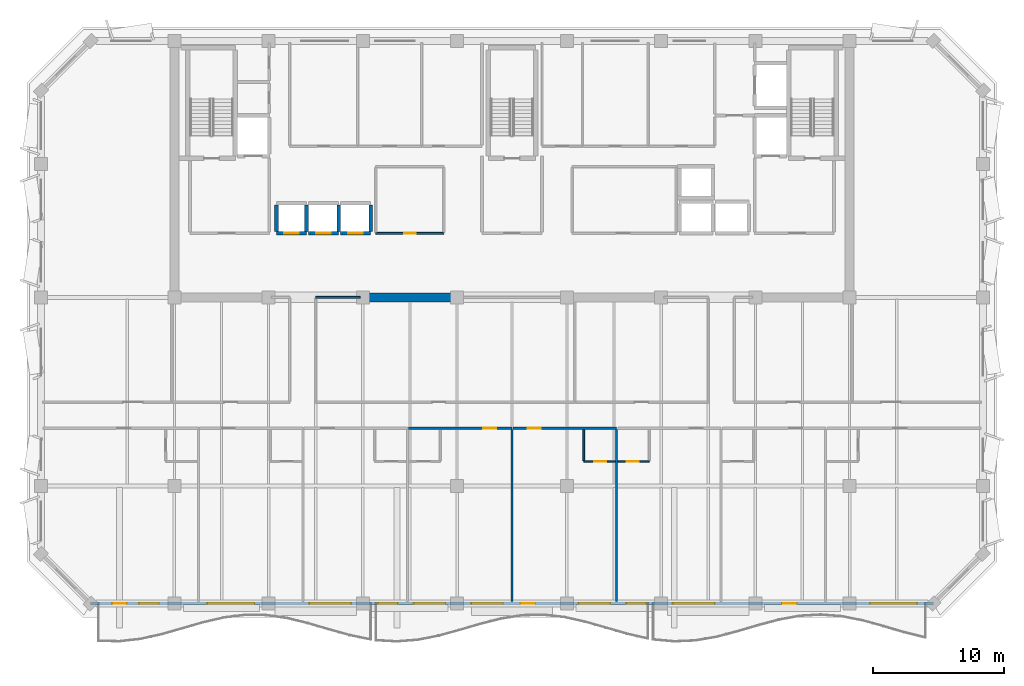
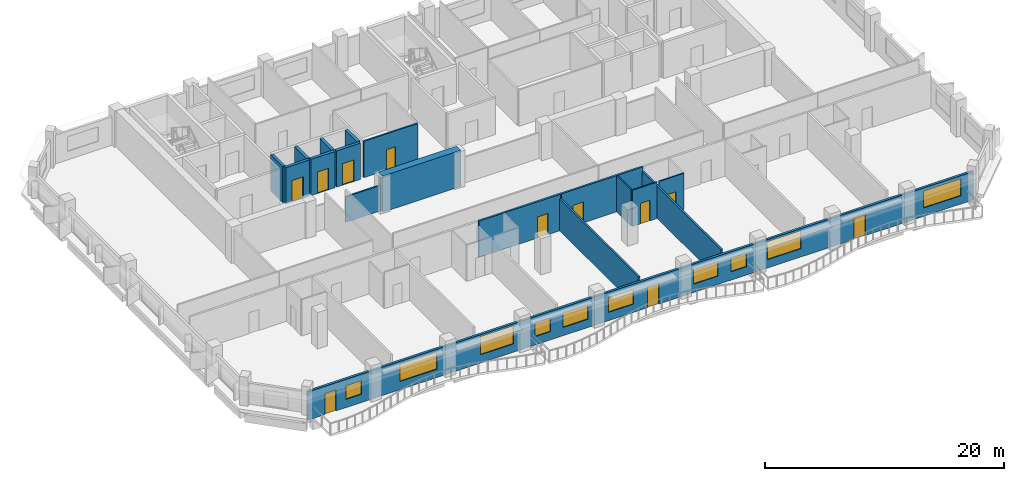
# One storey, part 4 of 11: 18 walls, 11 doors, 10 windows, 21 openings.
"""IFC4 building model written with IfcOpenShell, lengths in metres."""

from ifc_helpers import new_model, si_unit, direction, frame, frame_2d, origin, place, context, subcontext, project, spatial, rectangle, extrude, material, layer, layer_set, type_object, element, fill, save


model = new_model("IFC4")

# Units and contexts
model_context = context("Model", 3, precision=1e-05, world=origin(), true_north=direction((0.0, 1.0)))
body_context = subcontext(model_context, "Body", "Model", "MODEL_VIEW")
ifc_project = project(units=[si_unit("LENGTHUNIT", "METRE"), si_unit("AREAUNIT", "SQUARE_METRE"), si_unit("VOLUMEUNIT", "CUBIC_METRE"), si_unit("PLANEANGLEUNIT", "RADIAN"), si_unit("MASSUNIT", "GRAM", prefix="KILO")], contexts=[model_context])

# Site, building, storey
site_placement = place(None, origin())
site = spatial("IfcSite", under=ifc_project, at=site_placement, CompositionType="ELEMENT")
building_placement = place(site_placement, origin())
building = spatial("IfcBuilding", under=site, at=building_placement, Name="Kaelvorn Grand Hotel", CompositionType="ELEMENT")
storey_placement = place(building_placement, frame((0.0, 0.0, 252.85009765625)))
storey = spatial("IfcBuildingStorey", under=building, at=storey_placement, Name="L62", CompositionType="ELEMENT", Elevation=252.85009765625)

# Wall
ifc_material_1 = material(Name="Concrete C50/60", Category="concrete")
ifc_layer_1 = layer(ifc_material_1, 0.699951171875)
ifc_layer_set_1 = layer_set([ifc_layer_1], Name="Concrete C50/60")
wall_type_1 = type_object("IfcWallType", Name="WL-CORE-700-C50", PredefinedType="SHEAR", material=ifc_layer_set_1)
wall_1_placement = place(storey_placement, frame((30.39990234375, 29.39990234375, 0.0), z_axis=(0.0, 0.0, 1.0), x_axis=(1.0, 0.0, 0.0)))
element("IfcWall", 1, at=wall_1_placement, inside=storey, type_object=wall_type_1, Name="L62 Rear-Core Coupled Shear Pier S2", PredefinedType="SHEAR", context=body_context, shape_type="SweptSolid", body=[
    extrude(rectangle(XDim=7.60009765625, YDim=0.699951171875, at=frame_2d((3.800048828125, 0.0))), origin(), (0.0, 0.0, 1.0), 3.7099609375),
])

# Wall, openings, doors, windows
ifc_material_2 = material(Name="Concrete C40/50", Category="concrete")
ifc_layer_2 = layer(ifc_material_2, 0.219970703125)
ifc_layer_set_2 = layer_set([ifc_layer_2], Name="Concrete C40/50")
wall_type_2 = type_object("IfcWallType", Name="WL-EXT-220-C40", PredefinedType="SOLIDWALL", material=ifc_layer_set_2)
wall_2_placement = place(storey_placement, frame((9.800048828125, 6.0, 0.0), z_axis=(0.0, 0.0, 1.0), x_axis=(1.0, 0.0, 0.0)))
wall_2 = element("IfcWall", 2, at=wall_2_placement, inside=storey, type_object=wall_type_2, Name="L62 Exterior Architectural Concrete Wall 01", PredefinedType="SOLIDWALL", context=body_context, shape_type="SweptSolid", body=[
    extrude(rectangle(XDim=64.39990234375, YDim=0.219970703125, at=frame_2d((32.199951171875, 0.0))), origin(), (0.0, 0.0, 1.0), 2.909912109375),
])
opening_1_placement = place(wall_2_placement, frame((1.64990234375, 0.0, 0.0)))
opening_1 = element("IfcOpeningElement", 3, at=opening_1_placement, cuts=wall_2, Name="Opening DE2", PredefinedType="OPENING", context=body_context, shape_type="SweptSolid", body=[
    extrude(rectangle(XDim=1.10009765625, YDim=2.14990234375, at=frame_2d((0.550048828125, 1.074951171875))), frame((0.0, 0.1201171875, 0.0), z_axis=(0.0, -1.0, 0.0), x_axis=(1.0, 0.0, 0.0)), (0.0, 0.0, 1.0), 0.239990234375),
])
opening_2_placement = place(wall_2_placement, frame((32.85009765625, 0.0, 0.0)))
opening_2 = element("IfcOpeningElement", 4, at=opening_2_placement, cuts=wall_2, Name="Opening DE2", PredefinedType="OPENING", context=body_context, shape_type="SweptSolid", body=[
    extrude(rectangle(XDim=1.10009765625, YDim=2.14990234375, at=frame_2d((0.550048828125, 1.074951171875))), frame((0.0, 0.1201171875, 0.0), z_axis=(0.0, -1.0, 0.0), x_axis=(1.0, 0.0, 0.0)), (0.0, 0.0, 1.0), 0.239990234375),
])
opening_3_placement = place(wall_2_placement, frame((52.85009765625, 0.0, 0.0)))
opening_3 = element("IfcOpeningElement", 5, at=opening_3_placement, cuts=wall_2, Name="Opening DE2", PredefinedType="OPENING", context=body_context, shape_type="SweptSolid", body=[
    extrude(rectangle(XDim=1.10009765625, YDim=2.14990234375, at=frame_2d((0.550048828125, 1.074951171875))), frame((0.0, 0.1201171875, 0.0), z_axis=(0.0, -1.0, 0.0), x_axis=(1.0, 0.0, 0.0)), (0.0, 0.0, 1.0), 0.239990234375),
])
opening_4_placement = place(wall_2_placement, frame((3.7099609375, 0.0, 0.85009765625)))
opening_4 = element("IfcOpeningElement", 6, at=opening_4_placement, cuts=wall_2, Name="Opening W10", PredefinedType="OPENING", context=body_context, shape_type="SweptSolid", body=[
    extrude(rectangle(XDim=1.5, YDim=1.39990234375, at=frame_2d((0.75, 0.699951171875))), frame((0.0, 0.1201171875, 0.0), z_axis=(0.0, -1.0, 0.0), x_axis=(1.0, 0.0, 0.0)), (0.0, 0.0, 1.0), 0.239990234375),
])
opening_5_placement = place(wall_2_placement, frame((8.9189453125, 0.0, 0.85009765625)))
opening_5 = element("IfcOpeningElement", 7, at=opening_5_placement, cuts=wall_2, Name="Opening W3", PredefinedType="OPENING", context=body_context, shape_type="SweptSolid", body=[
    extrude(rectangle(XDim=3.60009765625, YDim=1.75, at=frame_2d((1.800048828125, 0.875))), frame((0.0, 0.1201171875, 0.0), z_axis=(0.0, -1.0, 0.0), x_axis=(1.0, 0.0, 0.0)), (0.0, 0.0, 1.0), 0.239990234375),
])
opening_6_placement = place(wall_2_placement, frame((16.71240234375, 0.0, 0.85009765625)))
opening_6 = element("IfcOpeningElement", 8, at=opening_6_placement, cuts=wall_2, Name="Opening W4", PredefinedType="OPENING", context=body_context, shape_type="SweptSolid", body=[
    extrude(rectangle(XDim=3.199951171875, YDim=1.85009765625, at=frame_2d((1.60009765625, 0.925048828125))), frame((0.0, 0.1201171875, 0.0), z_axis=(0.0, -1.0, 0.0), x_axis=(1.0, 0.0, 0.0)), (0.0, 0.0, 1.0), 0.239990234375),
])
opening_7_placement = place(wall_2_placement, frame((21.95654296875, 0.0, 0.85009765625)))
opening_7 = element("IfcOpeningElement", 9, at=opening_7_placement, cuts=wall_2, Name="Opening W10", PredefinedType="OPENING", context=body_context, shape_type="SweptSolid", body=[
    extrude(rectangle(XDim=1.5, YDim=1.39990234375, at=frame_2d((0.75, 0.699951171875))), frame((0.0, 0.1201171875, 0.0), z_axis=(0.0, -1.0, 0.0), x_axis=(1.0, 0.0, 0.0)), (0.0, 0.0, 1.0), 0.239990234375),
])
opening_8_placement = place(wall_2_placement, frame((24.70654296875, 0.0, 0.85009765625)))
opening_8 = element("IfcOpeningElement", 10, at=opening_8_placement, cuts=wall_2, Name="Opening W6", PredefinedType="OPENING", context=body_context, shape_type="SweptSolid", body=[
    extrude(rectangle(XDim=2.39990234375, YDim=1.5, at=frame_2d((1.199951171875, 0.75))), frame((0.0, 0.1201171875, 0.0), z_axis=(0.0, -1.0, 0.0), x_axis=(1.0, 0.0, 0.0)), (0.0, 0.0, 1.0), 0.239990234375),
])
opening_9_placement = place(wall_2_placement, frame((29.10009765625, 0.0, 0.85009765625)))
opening_9 = element("IfcOpeningElement", 11, at=opening_9_placement, cuts=wall_2, Name="Opening W6", PredefinedType="OPENING", context=body_context, shape_type="SweptSolid", body=[
    extrude(rectangle(XDim=2.39990234375, YDim=1.5, at=frame_2d((1.199951171875, 0.75))), frame((0.0, 0.1201171875, 0.0), z_axis=(0.0, -1.0, 0.0), x_axis=(1.0, 0.0, 0.0)), (0.0, 0.0, 1.0), 0.239990234375),
])
opening_10_placement = place(wall_2_placement, frame((37.29345703125, 0.0, 0.85009765625)))
opening_10 = element("IfcOpeningElement", 12, at=opening_10_placement, cuts=wall_2, Name="Opening W6", PredefinedType="OPENING", context=body_context, shape_type="SweptSolid", body=[
    extrude(rectangle(XDim=2.39990234375, YDim=1.5, at=frame_2d((1.199951171875, 0.75))), frame((0.0, 0.1201171875, 0.0), z_axis=(0.0, -1.0, 0.0), x_axis=(1.0, 0.0, 0.0)), (0.0, 0.0, 1.0), 0.239990234375),
])
opening_11_placement = place(wall_2_placement, frame((40.943603515625, 0.0, 0.85009765625)))
opening_11 = element("IfcOpeningElement", 13, at=opening_11_placement, cuts=wall_2, Name="Opening W10", PredefinedType="OPENING", context=body_context, shape_type="SweptSolid", body=[
    extrude(rectangle(XDim=1.5, YDim=1.39990234375, at=frame_2d((0.75, 0.699951171875))), frame((0.0, 0.1201171875, 0.0), z_axis=(0.0, -1.0, 0.0), x_axis=(1.0, 0.0, 0.0)), (0.0, 0.0, 1.0), 0.239990234375),
])
opening_12_placement = place(wall_2_placement, frame((44.487548828125, 0.0, 0.85009765625)))
opening_12 = element("IfcOpeningElement", 14, at=opening_12_placement, cuts=wall_2, Name="Opening W4", PredefinedType="OPENING", context=body_context, shape_type="SweptSolid", body=[
    extrude(rectangle(XDim=3.199951171875, YDim=1.85009765625, at=frame_2d((1.60009765625, 0.925048828125))), frame((0.0, 0.1201171875, 0.0), z_axis=(0.0, -1.0, 0.0), x_axis=(1.0, 0.0, 0.0)), (0.0, 0.0, 1.0), 0.239990234375),
])
opening_13_placement = place(wall_2_placement, frame((59.56494140625, 0.0, 0.85009765625)))
opening_13 = element("IfcOpeningElement", 15, at=opening_13_placement, cuts=wall_2, Name="Opening W3", PredefinedType="OPENING", context=body_context, shape_type="SweptSolid", body=[
    extrude(rectangle(XDim=3.60009765625, YDim=1.75, at=frame_2d((1.800048828125, 0.875))), frame((0.0, 0.1201171875, 0.0), z_axis=(0.0, -1.0, 0.0), x_axis=(1.0, 0.0, 0.0)), (0.0, 0.0, 1.0), 0.239990234375),
])
ifc_material_3 = material(Name="Anodised Aluminium", Category="aluminium")
door_type_1 = type_object("IfcDoorType", Name="DR-EXT-BALC-1100x2150", OperationType="NOTDEFINED", PredefinedType="DOOR", material=ifc_material_3)
door_1_placement = place(opening_1_placement, origin())
door_1 = element("IfcDoor", 16, at=door_1_placement, inside=storey, type_object=door_type_1, Name="L62 Scalloped Balcony Glazed Door DE2-1", OperationType="SINGLE_SWING_LEFT", OverallHeight=2.14990234375, OverallWidth=1.10009765625, PredefinedType="DOOR", context=body_context, shape_type="SweptSolid", body=[
    extrude(rectangle(XDim=1.10009765625, YDim=2.14990234375, at=frame_2d((0.550048828125, 1.074951171875))), frame((0.0, 0.02490234375, 0.0), z_axis=(0.0, -1.0, 0.0), x_axis=(1.0, 0.0, 0.0)), (0.0, 0.0, 1.0), 0.050048828125),
])
fill(opening_1, door_1)
door_2_placement = place(opening_2_placement, origin())
door_2 = element("IfcDoor", 17, at=door_2_placement, inside=storey, type_object=door_type_1, Name="L62 Scalloped Balcony Glazed Door DE2-2", OperationType="SINGLE_SWING_RIGHT", OverallHeight=2.14990234375, OverallWidth=1.10009765625, PredefinedType="DOOR", context=body_context, shape_type="SweptSolid", body=[
    extrude(rectangle(XDim=1.10009765625, YDim=2.14990234375, at=frame_2d((0.550048828125, 1.074951171875))), frame((0.0, 0.02490234375, 0.0), z_axis=(0.0, -1.0, 0.0), x_axis=(1.0, 0.0, 0.0)), (0.0, 0.0, 1.0), 0.050048828125),
])
fill(opening_2, door_2)
door_3_placement = place(opening_3_placement, origin())
door_3 = element("IfcDoor", 18, at=door_3_placement, inside=storey, type_object=door_type_1, Name="L62 Scalloped Balcony Glazed Door DE2-3", OperationType="SINGLE_SWING_LEFT", OverallHeight=2.14990234375, OverallWidth=1.10009765625, PredefinedType="DOOR", context=body_context, shape_type="SweptSolid", body=[
    extrude(rectangle(XDim=1.10009765625, YDim=2.14990234375, at=frame_2d((0.550048828125, 1.074951171875))), frame((0.0, 0.02490234375, 0.0), z_axis=(0.0, -1.0, 0.0), x_axis=(1.0, 0.0, 0.0)), (0.0, 0.0, 1.0), 0.050048828125),
])
fill(opening_3, door_3)
ifc_material_4 = material(Name="Laminated Low-E Glass", Category="glass")
window_type_1 = type_object("IfcWindowType", Name="WIN-COR-1500x1400", PartitioningType="SINGLE_PANEL", PredefinedType="WINDOW", material=ifc_material_4)
window_1_placement = place(opening_4_placement, origin())
window_1 = element("IfcWindow", 19, at=window_1_placement, inside=storey, type_object=window_type_1, Name="L62 South Guestroom Ribbon Window SR01", OverallHeight=1.39990234375, OverallWidth=1.5, PartitioningType="SINGLE_PANEL", PredefinedType="WINDOW", context=body_context, shape_type="SweptSolid", body=[
    extrude(rectangle(XDim=1.5, YDim=1.39990234375, at=frame_2d((0.75, 0.699951171875))), frame((0.0, 0.030029296875, 0.0), z_axis=(0.0, -1.0, 0.0), x_axis=(1.0, 0.0, 0.0)), (0.0, 0.0, 1.0), 0.06005859375),
])
fill(opening_4, window_1)
window_2_placement = place(opening_7_placement, origin())
window_2 = element("IfcWindow", 20, at=window_2_placement, inside=storey, type_object=window_type_1, Name="L62 South Guestroom Ribbon Window SR04", OverallHeight=1.39990234375, OverallWidth=1.5, PartitioningType="SINGLE_PANEL", PredefinedType="WINDOW", context=body_context, shape_type="SweptSolid", body=[
    extrude(rectangle(XDim=1.5, YDim=1.39990234375, at=frame_2d((0.75, 0.699951171875))), frame((0.0, 0.030029296875, 0.0), z_axis=(0.0, -1.0, 0.0), x_axis=(1.0, 0.0, 0.0)), (0.0, 0.0, 1.0), 0.06005859375),
])
fill(opening_7, window_2)
window_3_placement = place(opening_11_placement, origin())
window_3 = element("IfcWindow", 21, at=window_3_placement, inside=storey, type_object=window_type_1, Name="L62 South Guestroom Ribbon Window SR08", OverallHeight=1.39990234375, OverallWidth=1.5, PartitioningType="SINGLE_PANEL", PredefinedType="WINDOW", context=body_context, shape_type="SweptSolid", body=[
    extrude(rectangle(XDim=1.5, YDim=1.39990234375, at=frame_2d((0.75, 0.699951171875))), frame((0.0, 0.030029296875, 0.0), z_axis=(0.0, -1.0, 0.0), x_axis=(1.0, 0.0, 0.0)), (0.0, 0.0, 1.0), 0.06005859375),
])
fill(opening_11, window_3)
window_type_2 = type_object("IfcWindowType", Name="WIN-NTH-2400x1500", PartitioningType="SINGLE_PANEL", PredefinedType="WINDOW", material=ifc_material_4)
window_4_placement = place(opening_8_placement, origin())
window_4 = element("IfcWindow", 22, at=window_4_placement, inside=storey, type_object=window_type_2, Name="L62 South Guestroom Ribbon Window SR05", OverallHeight=1.5, OverallWidth=2.39990234375, PartitioningType="SINGLE_PANEL", PredefinedType="WINDOW", context=body_context, shape_type="SweptSolid", body=[
    extrude(rectangle(XDim=2.39990234375, YDim=1.5, at=frame_2d((1.199951171875, 0.75))), frame((0.0, 0.030029296875, 0.0), z_axis=(0.0, -1.0, 0.0), x_axis=(1.0, 0.0, 0.0)), (0.0, 0.0, 1.0), 0.06005859375),
])
fill(opening_8, window_4)
window_5_placement = place(opening_9_placement, origin())
window_5 = element("IfcWindow", 23, at=window_5_placement, inside=storey, type_object=window_type_2, Name="L62 South Guestroom Ribbon Window SR06", OverallHeight=1.5, OverallWidth=2.39990234375, PartitioningType="SINGLE_PANEL", PredefinedType="WINDOW", context=body_context, shape_type="SweptSolid", body=[
    extrude(rectangle(XDim=2.39990234375, YDim=1.5, at=frame_2d((1.199951171875, 0.75))), frame((0.0, 0.030029296875, 0.0), z_axis=(0.0, -1.0, 0.0), x_axis=(1.0, 0.0, 0.0)), (0.0, 0.0, 1.0), 0.06005859375),
])
fill(opening_9, window_5)
window_6_placement = place(opening_10_placement, origin())
window_6 = element("IfcWindow", 24, at=window_6_placement, inside=storey, type_object=window_type_2, Name="L62 South Guestroom Ribbon Window SR07", OverallHeight=1.5, OverallWidth=2.39990234375, PartitioningType="SINGLE_PANEL", PredefinedType="WINDOW", context=body_context, shape_type="SweptSolid", body=[
    extrude(rectangle(XDim=2.39990234375, YDim=1.5, at=frame_2d((1.199951171875, 0.75))), frame((0.0, 0.030029296875, 0.0), z_axis=(0.0, -1.0, 0.0), x_axis=(1.0, 0.0, 0.0)), (0.0, 0.0, 1.0), 0.06005859375),
])
fill(opening_10, window_6)
window_type_3 = type_object("IfcWindowType", Name="WIN-RIB-3200x1850", PartitioningType="SINGLE_PANEL", PredefinedType="WINDOW", material=ifc_material_4)
window_7_placement = place(opening_6_placement, origin())
window_7 = element("IfcWindow", 25, at=window_7_placement, inside=storey, type_object=window_type_3, Name="L62 South Guestroom Ribbon Window SR03", OverallHeight=1.85009765625, OverallWidth=3.199951171875, PartitioningType="SINGLE_PANEL", PredefinedType="WINDOW", context=body_context, shape_type="SweptSolid", body=[
    extrude(rectangle(XDim=3.199951171875, YDim=1.85009765625, at=frame_2d((1.60009765625, 0.925048828125))), frame((0.0, 0.030029296875, 0.0), z_axis=(0.0, -1.0, 0.0), x_axis=(1.0, 0.0, 0.0)), (0.0, 0.0, 1.0), 0.06005859375),
])
fill(opening_6, window_7)
window_8_placement = place(opening_12_placement, origin())
window_8 = element("IfcWindow", 26, at=window_8_placement, inside=storey, type_object=window_type_3, Name="L62 South Guestroom Ribbon Window SR09", OverallHeight=1.85009765625, OverallWidth=3.199951171875, PartitioningType="SINGLE_PANEL", PredefinedType="WINDOW", context=body_context, shape_type="SweptSolid", body=[
    extrude(rectangle(XDim=3.199951171875, YDim=1.85009765625, at=frame_2d((1.60009765625, 0.925048828125))), frame((0.0, 0.030029296875, 0.0), z_axis=(0.0, -1.0, 0.0), x_axis=(1.0, 0.0, 0.0)), (0.0, 0.0, 1.0), 0.06005859375),
])
fill(opening_12, window_8)
window_type_4 = type_object("IfcWindowType", Name="WIN-RIB-3600x1750", PartitioningType="SINGLE_PANEL", PredefinedType="WINDOW", material=ifc_material_4)
window_9_placement = place(opening_5_placement, origin())
window_9 = element("IfcWindow", 27, at=window_9_placement, inside=storey, type_object=window_type_4, Name="L62 South Guestroom Ribbon Window SR02", OverallHeight=1.75, OverallWidth=3.60009765625, PartitioningType="SINGLE_PANEL", PredefinedType="WINDOW", context=body_context, shape_type="SweptSolid", body=[
    extrude(rectangle(XDim=3.60009765625, YDim=1.75, at=frame_2d((1.800048828125, 0.875))), frame((0.0, 0.030029296875, 0.0), z_axis=(0.0, -1.0, 0.0), x_axis=(1.0, 0.0, 0.0)), (0.0, 0.0, 1.0), 0.06005859375),
])
fill(opening_5, window_9)
window_10_placement = place(opening_13_placement, origin())
window_10 = element("IfcWindow", 28, at=window_10_placement, inside=storey, type_object=window_type_4, Name="L62 South Guestroom Ribbon Window SR10", OverallHeight=1.75, OverallWidth=3.60009765625, PartitioningType="SINGLE_PANEL", PredefinedType="WINDOW", context=body_context, shape_type="SweptSolid", body=[
    extrude(rectangle(XDim=3.60009765625, YDim=1.75, at=frame_2d((1.800048828125, 0.875))), frame((0.0, 0.030029296875, 0.0), z_axis=(0.0, -1.0, 0.0), x_axis=(1.0, 0.0, 0.0)), (0.0, 0.0, 1.0), 0.06005859375),
])
fill(opening_13, window_10)

# Wall, opening, door
ifc_material_5 = material(Name="Moisture-Resistant Tile & Stud Board")
ifc_layer_3 = layer(ifc_material_5, 0.125)
ifc_layer_set_3 = layer_set([ifc_layer_3], Name="Moisture-Resistant Tile & Stud Board")
wall_type_3 = type_object("IfcWallType", Name="WL-PART-125-WET", PredefinedType="PARTITIONING", material=ifc_layer_set_3)
wall_3_placement = place(storey_placement, frame((47.487548828125, 16.85009765625, 0.0), z_axis=(0.0, 0.0, 1.0), x_axis=(1.0, 0.0, 0.0)))
wall_3 = element("IfcWall", 29, at=wall_3_placement, inside=storey, type_object=wall_type_3, Name="L62 En-suite Bathroom L62-05 S Partition", PredefinedType="PARTITIONING", context=body_context, shape_type="SweptSolid", body=[
    extrude(rectangle(XDim=2.405029296875, YDim=0.125, at=frame_2d((1.20263671875, 0.0))), origin(), (0.0, 0.0, 1.0), 3.7099609375),
])
opening_14_placement = place(wall_3_placement, frame((0.800048828125, 0.0, 0.0)))
opening_14 = element("IfcOpeningElement", 30, at=opening_14_placement, cuts=wall_3, Name="Opening DI4", PredefinedType="OPENING", context=body_context, shape_type="SweptSolid", body=[
    extrude(rectangle(XDim=0.89990234375, YDim=2.10009765625, at=frame_2d((0.449951171875, 1.050048828125))), frame((0.0, 0.072509765625, 0.0), z_axis=(0.0, -1.0, 0.0), x_axis=(1.0, 0.0, 0.0)), (0.0, 0.0, 1.0), 0.14501953125),
])
ifc_material_6 = material(Name="Timber Veneer Leaf", Category="wood")
door_type_2 = type_object("IfcDoorType", Name="DR-INT-BATH-900x2100", OperationType="NOTDEFINED", PredefinedType="DOOR", material=ifc_material_6)
door_4_placement = place(opening_14_placement, origin())
door_4 = element("IfcDoor", 31, at=door_4_placement, inside=storey, type_object=door_type_2, Name="L62 En-suite Bathroom L62-05 Door", OperationType="SINGLE_SWING_RIGHT", OverallHeight=2.10009765625, OverallWidth=0.89990234375, PredefinedType="DOOR", context=body_context, shape_type="SweptSolid", body=[
    extrude(rectangle(XDim=0.89990234375, YDim=2.10009765625, at=frame_2d((0.449951171875, 1.050048828125))), frame((0.0, 0.02490234375, 0.0), z_axis=(0.0, -1.0, 0.0), x_axis=(1.0, 0.0, 0.0)), (0.0, 0.0, 1.0), 0.050048828125),
])
fill(opening_14, door_4)

# Wall
wall_4_placement = place(storey_placement, frame((47.487548828125, 16.91748046875, 0.0), z_axis=(0.0, 0.0, 1.0), x_axis=(0.0, 1.0, 0.0)))
element("IfcWall", 32, at=wall_4_placement, inside=storey, type_object=wall_type_3, Name="L62 En-suite Bathroom L62-05 W Partition", PredefinedType="PARTITIONING", context=body_context, shape_type="SweptSolid", body=[
    extrude(rectangle(XDim=2.387451171875, YDim=0.125, at=frame_2d((1.19384765625, 0.0))), origin(), (0.0, 0.0, 1.0), 3.7099609375),
])

# Wall, opening, door
wall_5_placement = place(storey_placement, frame((50.08251953125, 16.85009765625, 0.0), z_axis=(0.0, 0.0, 1.0), x_axis=(1.0, 0.0, 0.0)))
wall_5 = element("IfcWall", 33, at=wall_5_placement, inside=storey, type_object=wall_type_3, Name="L62 En-suite Bathroom L62-06 S Partition", PredefinedType="PARTITIONING", context=body_context, shape_type="SweptSolid", body=[
    extrude(rectangle(XDim=2.405029296875, YDim=0.125, at=frame_2d((1.20263671875, 0.0))), origin(), (0.0, 0.0, 1.0), 3.7099609375),
])
opening_15_placement = place(wall_5_placement, frame((0.705078125, 0.0, 0.0)))
opening_15 = element("IfcOpeningElement", 34, at=opening_15_placement, cuts=wall_5, Name="Opening DI4", PredefinedType="OPENING", context=body_context, shape_type="SweptSolid", body=[
    extrude(rectangle(XDim=0.89990234375, YDim=2.10009765625, at=frame_2d((0.449951171875, 1.050048828125))), frame((0.0, 0.072509765625, 0.0), z_axis=(0.0, -1.0, 0.0), x_axis=(1.0, 0.0, 0.0)), (0.0, 0.0, 1.0), 0.14501953125),
])
door_5_placement = place(opening_15_placement, origin())
door_5 = element("IfcDoor", 35, at=door_5_placement, inside=storey, type_object=door_type_2, Name="L62 En-suite Bathroom L62-06 Door", OperationType="SINGLE_SWING_RIGHT", OverallHeight=2.10009765625, OverallWidth=0.89990234375, PredefinedType="DOOR", context=body_context, shape_type="SweptSolid", body=[
    extrude(rectangle(XDim=0.89990234375, YDim=2.10009765625, at=frame_2d((0.449951171875, 1.050048828125))), frame((0.0, 0.02490234375, 0.0), z_axis=(0.0, -1.0, 0.0), x_axis=(1.0, 0.0, 0.0)), (0.0, 0.0, 1.0), 0.050048828125),
])
fill(opening_15, door_5)

ifc_material_7 = material(Name="Acoustic Gypsum & Stud Partition")
ifc_layer_4 = layer(ifc_material_7, 0.14990234375)
ifc_layer_set_4 = layer_set([ifc_layer_4], Name="Acoustic Gypsum & Stud Partition")
wall_type_4 = type_object("IfcWallType", Name="WL-PART-150-EI60", PredefinedType="PARTITIONING", material=ifc_layer_set_4)
wall_6_placement = place(storey_placement, frame((31.60009765625, 34.300048828125, 0.0), z_axis=(0.0, 0.0, 1.0), x_axis=(1.0, 0.0, 0.0)))
wall_6 = element("IfcWall", 36, at=wall_6_placement, inside=storey, type_object=wall_type_4, Name="L62 Core Telecoms & BMS Server Room S Partition", PredefinedType="PARTITIONING", context=body_context, shape_type="SweptSolid", body=[
    extrude(rectangle(XDim=5.199951171875, YDim=0.14990234375, at=frame_2d((2.60009765625, 0.0))), origin(), (0.0, 0.0, 1.0), 3.7099609375),
])
opening_16_placement = place(wall_6_placement, frame((2.175048828125, 0.0, 0.0)))
opening_16 = element("IfcOpeningElement", 37, at=opening_16_placement, cuts=wall_6, Name="Opening DI7", PredefinedType="OPENING", context=body_context, shape_type="SweptSolid", body=[
    extrude(rectangle(XDim=0.85009765625, YDim=2.10009765625, at=frame_2d((0.425048828125, 1.050048828125))), frame((0.0, 0.0849609375, 0.0), z_axis=(0.0, -1.0, 0.0), x_axis=(1.0, 0.0, 0.0)), (0.0, 0.0, 1.0), 0.169921875),
])
ifc_material_8 = material(Name="Powder-Coated Steel Leaf", Category="steel")
door_type_3 = type_object("IfcDoorType", Name="DR-INT-RISER-850x2100", OperationType="NOTDEFINED", PredefinedType="DOOR", material=ifc_material_8)
door_6_placement = place(opening_16_placement, origin())
door_6 = element("IfcDoor", 38, at=door_6_placement, inside=storey, type_object=door_type_3, Name="L62 Core Telecoms & BMS Server Room Door", OperationType="SINGLE_SWING_LEFT", OverallHeight=2.10009765625, OverallWidth=0.85009765625, PredefinedType="DOOR", context=body_context, shape_type="SweptSolid", body=[
    extrude(rectangle(XDim=0.85009765625, YDim=2.10009765625, at=frame_2d((0.425048828125, 1.050048828125))), frame((0.0, 0.02490234375, 0.0), z_axis=(0.0, -1.0, 0.0), x_axis=(1.0, 0.0, 0.0)), (0.0, 0.0, 1.0), 0.050048828125),
])
fill(opening_16, door_6)

# Wall
wall_7_placement = place(storey_placement, frame((27.0, 29.39990234375, 0.0), z_axis=(0.0, 0.0, 1.0), x_axis=(1.0, 0.0, 0.0)))
element("IfcWall", 39, at=wall_7_placement, inside=storey, type_object=wall_type_4, Name="L62 Hospitality Tea Kitchen N Partition (1)", PredefinedType="PARTITIONING", context=body_context, shape_type="SweptSolid", body=[
    extrude(rectangle(XDim=3.389892578125, YDim=0.14990234375, at=frame_2d((1.69482421875, 0.0))), origin(), (0.0, 0.0, 1.0), 2.60986328125),
])

# Wall, opening, door
ifc_layer_5 = layer(ifc_material_7, 0.179931640625)
ifc_layer_set_5 = layer_set([ifc_layer_5], Name="Acoustic Gypsum & Stud Partition")
wall_type_5 = type_object("IfcWallType", Name="WL-PART-180-EI60", PredefinedType="PARTITIONING", material=ifc_layer_set_5)
wall_8_placement = place(storey_placement, frame((34.107421875, 19.39990234375, 0.0), z_axis=(0.0, 0.0, 1.0), x_axis=(1.0, 0.0, 0.0)))
wall_8 = element("IfcWall", 40, at=wall_8_placement, inside=storey, type_object=wall_type_5, Name="L62 Ambassador Junior Suite L62-04 N Partition", PredefinedType="PARTITIONING", context=body_context, shape_type="SweptSolid", body=[
    extrude(rectangle(XDim=7.892578125, YDim=0.179931640625, at=frame_2d((3.9462890625, 0.0))), origin(), (0.0, 0.0, 1.0), 3.7099609375),
])
opening_17_placement = place(wall_8_placement, frame((5.6826171875, 0.0, 0.0)))
opening_17 = element("IfcOpeningElement", 41, at=opening_17_placement, cuts=wall_8, Name="Opening DI3", PredefinedType="OPENING", context=body_context, shape_type="SweptSolid", body=[
    extrude(rectangle(XDim=1.0, YDim=2.14990234375, at=frame_2d((0.5, 1.074951171875))), frame((0.0, 0.10009765625, 0.0), z_axis=(0.0, -1.0, 0.0), x_axis=(1.0, 0.0, 0.0)), (0.0, 0.0, 1.0), 0.199951171875),
])
ifc_material_9 = material(Name="Timber Veneer Fire Leaf", Category="wood")
door_type_4 = type_object("IfcDoorType", Name="DR-INT-GUEST-1000x2150", OperationType="NOTDEFINED", PredefinedType="DOOR", material=ifc_material_9)
door_7_placement = place(opening_17_placement, origin())
door_7 = element("IfcDoor", 42, at=door_7_placement, inside=storey, type_object=door_type_4, Name="L62 Ambassador Junior Suite L62-04 Door", OperationType="SINGLE_SWING_LEFT", OverallHeight=2.14990234375, OverallWidth=1.0, PredefinedType="DOOR", context=body_context, shape_type="SweptSolid", body=[
    extrude(rectangle(XDim=1.0, YDim=2.14990234375, at=frame_2d((0.5, 1.074951171875))), frame((0.0, 0.02490234375, 0.0), z_axis=(0.0, -1.0, 0.0), x_axis=(1.0, 0.0, 0.0)), (0.0, 0.0, 1.0), 0.050048828125),
])
fill(opening_17, door_7)

# Wall
wall_9_placement = place(storey_placement, frame((42.0, 6.14990234375, 0.0), z_axis=(0.0, 0.0, 1.0), x_axis=(0.0, 1.0, 0.0)))
element("IfcWall", 43, at=wall_9_placement, inside=storey, type_object=wall_type_5, Name="L62 Ambassador Junior Suite L62-04 E Partition", PredefinedType="PARTITIONING", context=body_context, shape_type="SweptSolid", body=[
    extrude(rectangle(XDim=13.155029296875, YDim=0.179931640625, at=frame_2d((6.57763671875, 0.0))), origin(), (0.0, 0.0, 1.0), 3.260009765625),
])

# Wall, opening, door
wall_10_placement = place(storey_placement, frame((42.094970703125, 19.39990234375, 0.0), z_axis=(0.0, 0.0, 1.0), x_axis=(1.0, 0.0, 0.0)))
wall_10 = element("IfcWall", 44, at=wall_10_placement, inside=storey, type_object=wall_type_5, Name="L62 Ambassador Sky Suite L62-05 N Partition", PredefinedType="PARTITIONING", context=body_context, shape_type="SweptSolid", body=[
    extrude(rectangle(XDim=7.892578125, YDim=0.179931640625, at=frame_2d((3.9462890625, 0.0))), origin(), (0.0, 0.0, 1.0), 3.7099609375),
])
opening_18_placement = place(wall_10_placement, frame((1.114990234375, 0.0, 0.0)))
opening_18 = element("IfcOpeningElement", 45, at=opening_18_placement, cuts=wall_10, Name="Opening DI3", PredefinedType="OPENING", context=body_context, shape_type="SweptSolid", body=[
    extrude(rectangle(XDim=1.0, YDim=2.14990234375, at=frame_2d((0.5, 1.074951171875))), frame((0.0, 0.10009765625, 0.0), z_axis=(0.0, -1.0, 0.0), x_axis=(1.0, 0.0, 0.0)), (0.0, 0.0, 1.0), 0.199951171875),
])
door_8_placement = place(opening_18_placement, origin())
door_8 = element("IfcDoor", 46, at=door_8_placement, inside=storey, type_object=door_type_4, Name="L62 Ambassador Sky Suite L62-05 Door", OperationType="SINGLE_SWING_LEFT", OverallHeight=2.14990234375, OverallWidth=1.0, PredefinedType="DOOR", context=body_context, shape_type="SweptSolid", body=[
    extrude(rectangle(XDim=1.0, YDim=2.14990234375, at=frame_2d((0.5, 1.074951171875))), frame((0.0, 0.02490234375, 0.0), z_axis=(0.0, -1.0, 0.0), x_axis=(1.0, 0.0, 0.0)), (0.0, 0.0, 1.0), 0.050048828125),
])
fill(opening_18, door_8)

# Wall
wall_11_placement = place(storey_placement, frame((49.987548828125, 6.14990234375, 0.0), z_axis=(0.0, 0.0, 1.0), x_axis=(0.0, 1.0, 0.0)))
element("IfcWall", 47, at=wall_11_placement, inside=storey, type_object=wall_type_5, Name="L62 Ambassador Sky Suite L62-05 E Partition", PredefinedType="PARTITIONING", context=body_context, shape_type="SweptSolid", body=[
    extrude(rectangle(XDim=13.155029296875, YDim=0.179931640625, at=frame_2d((6.57763671875, 0.0))), origin(), (0.0, 0.0, 1.0), 3.260009765625),
])

# Wall, opening, door
ifc_layer_6 = layer(ifc_material_1, 0.280029296875)
ifc_layer_set_6 = layer_set([ifc_layer_6], Name="Concrete C50/60")
wall_type_6 = type_object("IfcWallType", Name="WL-SHAFT-280-C50", PredefinedType="SHEAR", material=ifc_layer_set_6)
wall_12_placement = place(storey_placement, frame((24.0, 34.300048828125, 0.0), z_axis=(0.0, 0.0, 1.0), x_axis=(1.0, 0.0, 0.0)))
wall_12 = element("IfcWall", 48, at=wall_12_placement, inside=storey, type_object=wall_type_6, Name="L62 Lift PL-H1 Shaft South Wall", PredefinedType="SHEAR", context=body_context, shape_type="SweptSolid", body=[
    extrude(rectangle(XDim=2.300048828125, YDim=0.280029296875, at=frame_2d((1.14990234375, 0.0))), origin(), (0.0, 0.0, 1.0), 3.7099609375),
])
opening_19_placement = place(wall_12_placement, frame((0.60009765625, 0.0, 0.0)))
opening_19 = element("IfcOpeningElement", 49, at=opening_19_placement, cuts=wall_12, Name="Opening LD-PL-H1", PredefinedType="OPENING", context=body_context, shape_type="SweptSolid", body=[
    extrude(rectangle(XDim=1.10009765625, YDim=2.199951171875, at=frame_2d((0.550048828125, 1.10009765625))), frame((0.0, 0.14990234375, 0.0), z_axis=(0.0, -1.0, 0.0), x_axis=(1.0, 0.0, 0.0)), (0.0, 0.0, 1.0), 0.300048828125),
])
ifc_material_10 = material(Name="Stainless Steel", Category="steel")
door_type_5 = type_object("IfcDoorType", Name="DR-LIFT-PASS-1100x2200", OperationType="DOUBLE_DOOR_SLIDING", PredefinedType="DOOR", material=ifc_material_10)
door_9_placement = place(opening_19_placement, origin())
door_9 = element("IfcDoor", 50, at=door_9_placement, inside=storey, type_object=door_type_5, Name="L62 Lift PL-H1 Sliding Landing Door LD-PL-H1", OperationType="DOUBLE_DOOR_SLIDING", OverallHeight=2.199951171875, OverallWidth=1.10009765625, PredefinedType="DOOR", context=body_context, shape_type="SweptSolid", body=[
    extrude(rectangle(XDim=1.10009765625, YDim=2.199951171875, at=frame_2d((0.550048828125, 1.10009765625))), frame((0.0, 0.02490234375, 0.0), z_axis=(0.0, -1.0, 0.0), x_axis=(1.0, 0.0, 0.0)), (0.0, 0.0, 1.0), 0.050048828125),
])
fill(opening_19, door_9)

# Walls
for number, where, z_axis, x_axis, name in (
    (51, (24.0, 34.445068359375, 0.0), (0.0, 0.0, 1.0), (0.0, 1.0, 0.0), "L62 Lift PL-H1 Shaft West Wall"),
    (52, (26.300048828125, 34.445068359375, 0.0), (0.0, 0.0, 1.0), (0.0, 1.0, 0.0), "L62 Lift PL-H1 Shaft East Wall"),
):
    element("IfcWall", number, at=place(storey_placement, frame(where, z_axis=z_axis, x_axis=x_axis)), inside=storey, type_object=wall_type_6, Name=name, PredefinedType="SHEAR", context=body_context, shape_type="SweptSolid", body=[
        extrude(rectangle(XDim=2.010009765625, YDim=0.280029296875, at=frame_2d((1.0048828125, 0.0))), origin(), (0.0, 0.0, 1.0), 3.7099609375),
    ])

# Wall, opening, door
wall_13_placement = place(storey_placement, frame((26.449951171875, 34.300048828125, 0.0), z_axis=(0.0, 0.0, 1.0), x_axis=(1.0, 0.0, 0.0)))
wall_13 = element("IfcWall", 53, at=wall_13_placement, inside=storey, type_object=wall_type_6, Name="L62 Lift PL-H2 Shaft South Wall", PredefinedType="SHEAR", context=body_context, shape_type="SweptSolid", body=[
    extrude(rectangle(XDim=2.300048828125, YDim=0.280029296875, at=frame_2d((1.14990234375, 0.0))), origin(), (0.0, 0.0, 1.0), 3.7099609375),
])
opening_20_placement = place(wall_13_placement, frame((0.60009765625, 0.0, 0.0)))
opening_20 = element("IfcOpeningElement", 54, at=opening_20_placement, cuts=wall_13, Name="Opening LD-PL-H2", PredefinedType="OPENING", context=body_context, shape_type="SweptSolid", body=[
    extrude(rectangle(XDim=1.10009765625, YDim=2.199951171875, at=frame_2d((0.550048828125, 1.10009765625))), frame((0.0, 0.14990234375, 0.0), z_axis=(0.0, -1.0, 0.0), x_axis=(1.0, 0.0, 0.0)), (0.0, 0.0, 1.0), 0.300048828125),
])
door_10_placement = place(opening_20_placement, origin())
door_10 = element("IfcDoor", 55, at=door_10_placement, inside=storey, type_object=door_type_5, Name="L62 Lift PL-H2 Sliding Landing Door LD-PL-H2", OperationType="DOUBLE_DOOR_SLIDING", OverallHeight=2.199951171875, OverallWidth=1.10009765625, PredefinedType="DOOR", context=body_context, shape_type="SweptSolid", body=[
    extrude(rectangle(XDim=1.10009765625, YDim=2.199951171875, at=frame_2d((0.550048828125, 1.10009765625))), frame((0.0, 0.02490234375, 0.0), z_axis=(0.0, -1.0, 0.0), x_axis=(1.0, 0.0, 0.0)), (0.0, 0.0, 1.0), 0.050048828125),
])
fill(opening_20, door_10)

# Wall
wall_14_placement = place(storey_placement, frame((28.75, 34.445068359375, 0.0), z_axis=(0.0, 0.0, 1.0), x_axis=(0.0, 1.0, 0.0)))
element("IfcWall", 56, at=wall_14_placement, inside=storey, type_object=wall_type_6, Name="L62 Lift PL-H2 Shaft East Wall", PredefinedType="SHEAR", context=body_context, shape_type="SweptSolid", body=[
    extrude(rectangle(XDim=2.010009765625, YDim=0.280029296875, at=frame_2d((1.0048828125, 0.0))), origin(), (0.0, 0.0, 1.0), 3.7099609375),
])

# Wall, opening, door
wall_15_placement = place(storey_placement, frame((28.89990234375, 34.300048828125, 0.0), z_axis=(0.0, 0.0, 1.0), x_axis=(1.0, 0.0, 0.0)))
wall_15 = element("IfcWall", 57, at=wall_15_placement, inside=storey, type_object=wall_type_6, Name="L62 Lift PL-H3 Shaft South Wall", PredefinedType="SHEAR", context=body_context, shape_type="SweptSolid", body=[
    extrude(rectangle(XDim=2.300048828125, YDim=0.280029296875, at=frame_2d((1.14990234375, 0.0))), origin(), (0.0, 0.0, 1.0), 3.7099609375),
])
opening_21_placement = place(wall_15_placement, frame((0.60009765625, 0.0, 0.0)))
opening_21 = element("IfcOpeningElement", 58, at=opening_21_placement, cuts=wall_15, Name="Opening LD-PL-H3", PredefinedType="OPENING", context=body_context, shape_type="SweptSolid", body=[
    extrude(rectangle(XDim=1.10009765625, YDim=2.199951171875, at=frame_2d((0.550048828125, 1.10009765625))), frame((0.0, 0.14990234375, 0.0), z_axis=(0.0, -1.0, 0.0), x_axis=(1.0, 0.0, 0.0)), (0.0, 0.0, 1.0), 0.300048828125),
])
door_11_placement = place(opening_21_placement, origin())
door_11 = element("IfcDoor", 59, at=door_11_placement, inside=storey, type_object=door_type_5, Name="L62 Lift PL-H3 Sliding Landing Door LD-PL-H3", OperationType="DOUBLE_DOOR_SLIDING", OverallHeight=2.199951171875, OverallWidth=1.10009765625, PredefinedType="DOOR", context=body_context, shape_type="SweptSolid", body=[
    extrude(rectangle(XDim=1.10009765625, YDim=2.199951171875, at=frame_2d((0.550048828125, 1.10009765625))), frame((0.0, 0.02490234375, 0.0), z_axis=(0.0, -1.0, 0.0), x_axis=(1.0, 0.0, 0.0)), (0.0, 0.0, 1.0), 0.050048828125),
])
fill(opening_21, door_11)

# Wall
wall_16_placement = place(storey_placement, frame((31.199951171875, 34.445068359375, 0.0), z_axis=(0.0, 0.0, 1.0), x_axis=(0.0, 1.0, 0.0)))
element("IfcWall", 60, at=wall_16_placement, inside=storey, type_object=wall_type_6, Name="L62 Lift PL-H3 Shaft East Wall", PredefinedType="SHEAR", context=body_context, shape_type="SweptSolid", body=[
    extrude(rectangle(XDim=2.010009765625, YDim=0.280029296875, at=frame_2d((1.0048828125, 0.0))), origin(), (0.0, 0.0, 1.0), 3.7099609375),
])

save(model, "model.ifc")
